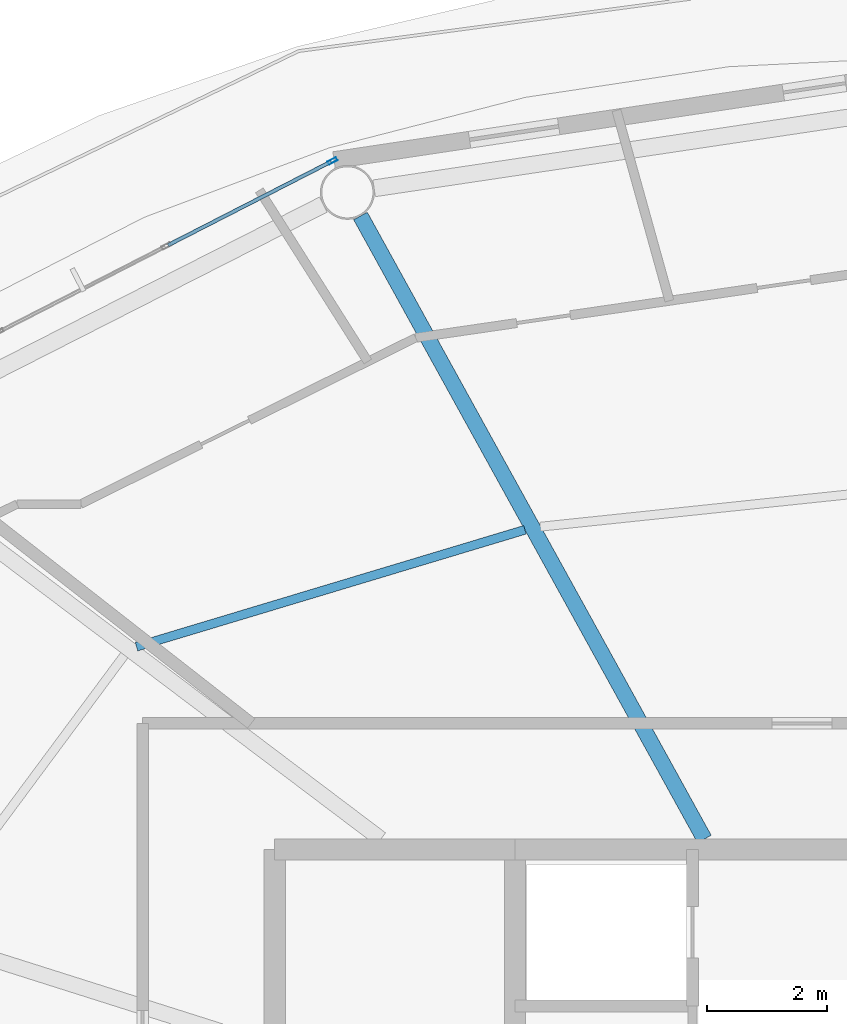
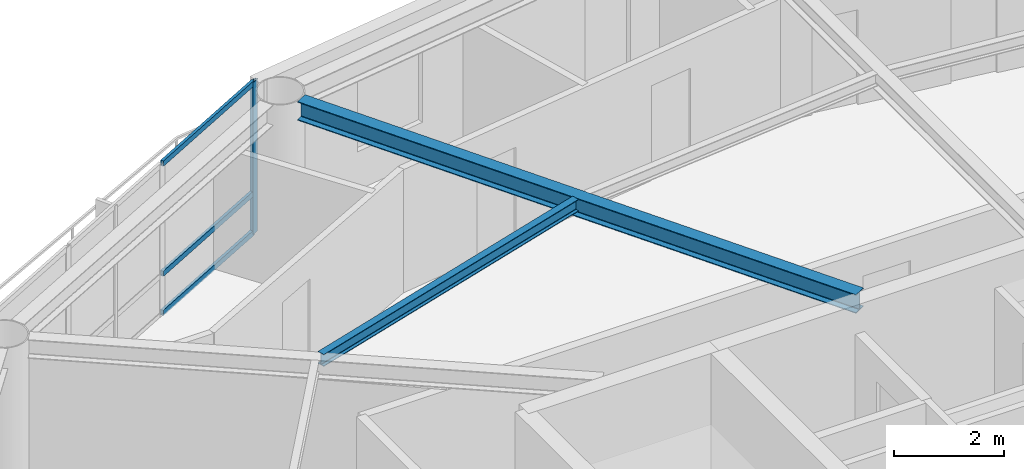
# One storey, part 9 of 22: 4 members, 2 beams, 1 element without a shape of its own.
"""IFC4 building model written with IfcOpenShell, lengths in metres."""

from ifc_helpers import new_model, si_unit, direction, frame, origin, origin_2d, place, context, subcontext, project, spatial, hollow_rectangle, i_section, extrude, material, layer, layer_set, material_profile, profile_set, type_object, element, aggregate, save


model = new_model("IFC4")

# Units and contexts
model_context = context("Model", 3, precision=1e-05, world=origin(), true_north=direction((0.0, 1.0)))
body_context = subcontext(model_context, "Body", "Model", "MODEL_VIEW")
ifc_project = project(units=[si_unit("LENGTHUNIT", "METRE"), si_unit("AREAUNIT", "SQUARE_METRE"), si_unit("VOLUMEUNIT", "CUBIC_METRE"), si_unit("PLANEANGLEUNIT", "RADIAN"), si_unit("MASSUNIT", "GRAM", prefix="KILO")], contexts=[model_context])

# Site, building, storey
site_placement = place(None, origin())
site = spatial("IfcSite", under=ifc_project, at=site_placement, CompositionType="ELEMENT")
building_placement = place(site_placement, origin())
building = spatial("IfcBuilding", under=site, at=building_placement, Name="Sarneth Arch Tower", CompositionType="ELEMENT")
storey_placement = place(building_placement, frame((0.0, 0.0, 301.800048828125)))
storey = spatial("IfcBuildingStorey", under=building, at=storey_placement, Name="L78", CompositionType="ELEMENT", Elevation=301.800048828125)

# Beams
ifc_material_1 = material(Name="Steel S355", Category="steel")
ifc_material_profile_1 = material_profile(ifc_material_1, i_section(OverallWidth=0.14794921875, OverallDepth=0.26611328125, WebThickness=0.007568359375, FlangeThickness=0.012939453125, FilletRadius=0.012939453125, at=origin_2d()), Name="W250x44.8")
ifc_profile_set_1 = profile_set([ifc_material_profile_1], Name="Steel S355")
beam_type_1 = type_object("IfcBeamType", Name="BM-JOIST-250", PredefinedType="JOIST", material=ifc_profile_set_1)
beam_1_placement = place(storey_placement, frame((41.163818359375, 54.122314453125, 3.237060546875), z_axis=(-0.95760703602, -0.288077705776, 0.0), x_axis=(0.288077705776, -0.95760703602, 0.0)))
element("IfcBeam", 1, at=beam_1_placement, inside=storey, type_object=beam_type_1, Name="L78 Secondary floor joist 06", PredefinedType="JOIST", context=body_context, shape_type="SweptSolid", body=[
    extrude(i_section(OverallWidth=0.14794921875, OverallDepth=0.26611328125, WebThickness=0.007568359375, FlangeThickness=0.012939453125, FilletRadius=0.012939453125, at=origin_2d()), origin(), (0.0, 0.0, 1.0), 6.7509765625),
])
ifc_material_2 = material(Name="Steel S355", Category="steel")
ifc_material_profile_2 = material_profile(ifc_material_2, i_section(OverallWidth=0.260009765625, OverallDepth=0.4150390625, WebThickness=0.010009765625, FlangeThickness=0.016845703125, FilletRadius=0.01611328125, at=origin_2d()), Name="W410x100")
ifc_profile_set_2 = profile_set([ifc_material_profile_2], Name="Steel S355")
beam_type_2 = type_object("IfcBeamType", Name="BM-RAD-410A", PredefinedType="BEAM", material=ifc_profile_set_2)
beam_2_placement = place(storey_placement, frame((44.150146484375, 48.97509765625, 3.162353515625), z_axis=(-0.483229367873, 0.875493790969, 0.0), x_axis=(-0.875493790969, -0.483229367873, 0.0)))
element("IfcBeam", 2, at=beam_2_placement, inside=storey, type_object=beam_type_2, Name="L78 Radial floor girder 06", PredefinedType="BEAM", context=body_context, shape_type="SweptSolid", body=[
    extrude(i_section(OverallWidth=0.260009765625, OverallDepth=0.4150390625, WebThickness=0.010009765625, FlangeThickness=0.016845703125, FilletRadius=0.01611328125, at=origin_2d()), origin(), (0.0, 0.0, 1.0), 11.843994140625),
])

# Curtain wall, members
ifc_material_3 = material(Name="Anodised aluminium Type AA25 and solar-control low-e laminated IGU", Category="aluminium")
ifc_layer = layer(ifc_material_3, 0.179931640625)
ifc_layer_set = layer_set([ifc_layer], Name="Anodised aluminium Type AA25 and solar-control low-e laminated IGU")
curtain_wall_type = type_object("IfcCurtainWallType", Name="CW-RES-HIGH", PredefinedType="NOTDEFINED", material=ifc_layer_set)
curtain_wall_placement = place(storey_placement, origin())
curtain_wall = element("IfcCurtainWall", 3, at=curtain_wall_placement, inside=storey, type_object=curtain_wall_type, Name="L78 Unitised curtain wall facet 06", PredefinedType="NOTDEFINED")
ifc_material_4 = material(Name="Anodised Aluminium 6063-T6", Category="aluminium")
ifc_material_profile_3 = material_profile(ifc_material_4, hollow_rectangle(XDim=0.06005859375, YDim=0.159912109375, WallThickness=0.00390625, at=origin_2d()), Name="AL-MULL-160x60x4")
ifc_profile_set_3 = profile_set([ifc_material_profile_3], Name="Anodised Aluminium 6063-T6")
member_type_1 = type_object("IfcMemberType", Name="CW-MULLION", PredefinedType="MULLION", material=ifc_profile_set_3)
member_1_placement = place(storey_placement, frame((37.960693359375, 60.2607421875, 0.0), z_axis=(0.0, 0.0, 1.0), x_axis=(0.455941901753, -0.890009540525, 0.0)))
member_1 = element("IfcMember", 4, at=member_1_placement, type_object=member_type_1, Name="CW-SYS-6 mullion 1", PredefinedType="MULLION", context=body_context, shape_type="SweptSolid", body=[
    extrude(hollow_rectangle(XDim=0.06005859375, YDim=0.159912109375, WallThickness=0.00390625, at=origin_2d()), origin(), (0.0, 0.0, 1.0), 3.369873046875),
])
ifc_material_5 = material(Name="Anodised Aluminium 6063-T6", Category="aluminium")
ifc_material_profile_4 = material_profile(ifc_material_5, hollow_rectangle(XDim=0.06005859375, YDim=0.1201171875, WallThickness=0.00390625, at=origin_2d()), Name="AL-TRAN-120x60x4")
ifc_profile_set_4 = profile_set([ifc_material_profile_4], Name="Anodised Aluminium 6063-T6")
member_type_2 = type_object("IfcMemberType", Name="CW-TRANSOM", PredefinedType="USERDEFINED", material=ifc_profile_set_4)
member_2_placement = place(storey_placement, frame((37.933837890625, 60.2470703125, 0.030029296875), z_axis=(-0.889973523166, -0.456012201662, 0.0), x_axis=(0.456012201662, -0.889973523166, 0.0)))
member_2 = element("IfcMember", 5, at=member_2_placement, type_object=member_type_2, Name="CW-SYS-6 transom 1.1", ObjectType="TRANSOM", PredefinedType="USERDEFINED", context=body_context, shape_type="SweptSolid", body=[
    extrude(hollow_rectangle(XDim=0.06005859375, YDim=0.1201171875, WallThickness=0.00390625, at=origin_2d()), origin(), (0.0, 0.0, 1.0), 3.044677734375),
])
member_3_placement = place(storey_placement, frame((37.933837890625, 60.2470703125, 0.89990234375), z_axis=(-0.889973523166, -0.456012201662, 0.0), x_axis=(0.456012201662, -0.889973523166, 0.0)))
member_3 = element("IfcMember", 6, at=member_3_placement, type_object=member_type_2, Name="CW-SYS-6 transom 1.2", ObjectType="TRANSOM", PredefinedType="USERDEFINED", context=body_context, shape_type="SweptSolid", body=[
    extrude(hollow_rectangle(XDim=0.06005859375, YDim=0.1201171875, WallThickness=0.00390625, at=origin_2d()), origin(), (0.0, 0.0, 1.0), 3.044677734375),
])
member_4_placement = place(storey_placement, frame((37.933837890625, 60.2470703125, 3.33984375), z_axis=(-0.889973523166, -0.456012201662, 0.0), x_axis=(0.456012201662, -0.889973523166, 0.0)))
member_4 = element("IfcMember", 7, at=member_4_placement, type_object=member_type_2, Name="CW-SYS-6 transom 1.3", ObjectType="TRANSOM", PredefinedType="USERDEFINED", context=body_context, shape_type="SweptSolid", body=[
    extrude(hollow_rectangle(XDim=0.06005859375, YDim=0.1201171875, WallThickness=0.00390625, at=origin_2d()), origin(), (0.0, 0.0, 1.0), 3.044677734375),
])
aggregate(curtain_wall, [member_1, member_2, member_3, member_4])

save(model, "model.ifc")
